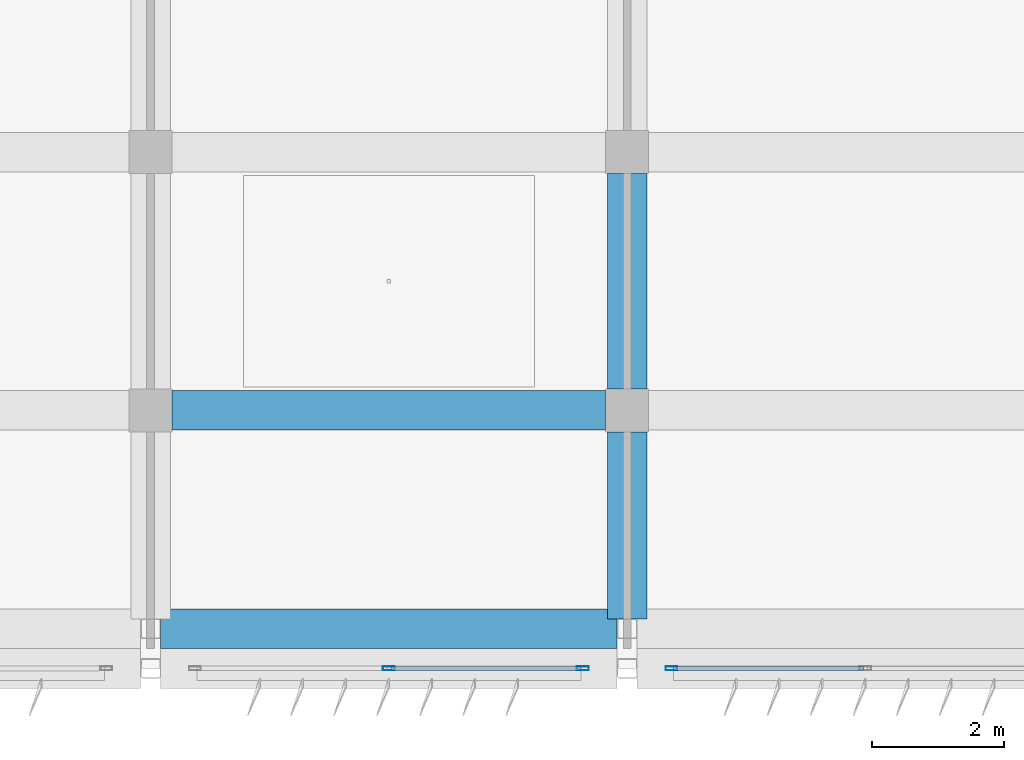
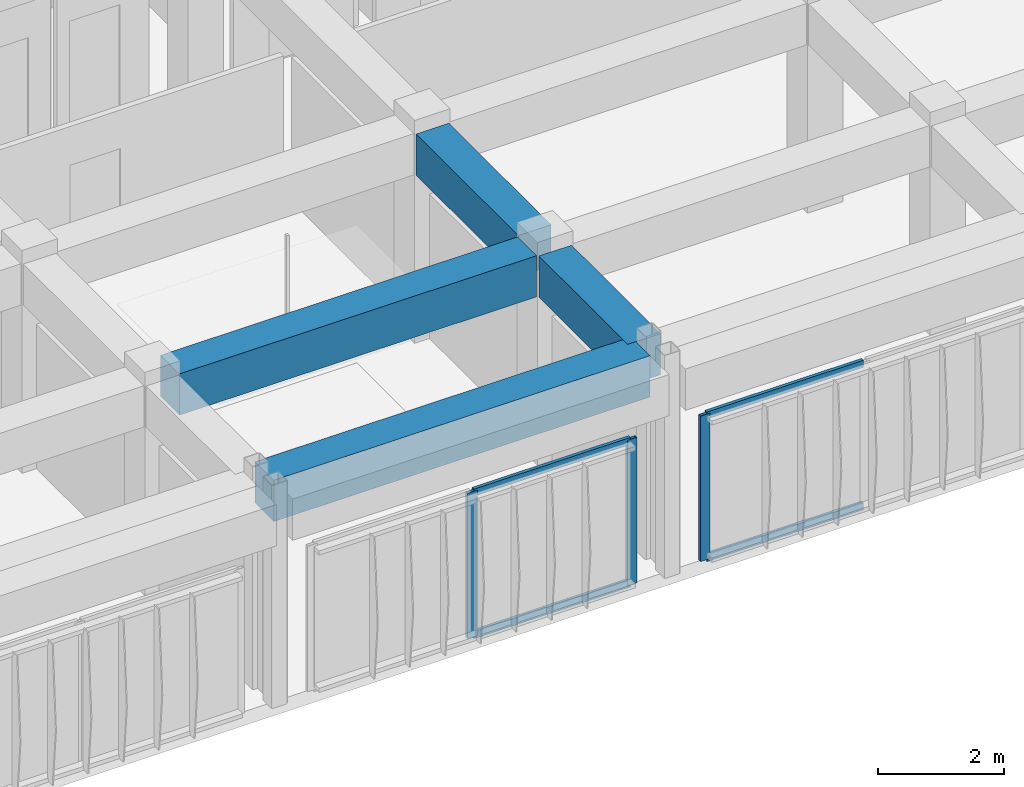
# One storey, part 17 of 53: 7 members, 4 beams, 2 elements without a shape of their own.
"""IFC4 building model written with IfcOpenShell, lengths in metres."""

from ifc_helpers import new_model, si_unit, direction, frame, origin, origin_2d, place, context, subcontext, project, spatial, rectangle, hollow_rectangle, extrude, material, material_profile, profile_set, type_object, element, aggregate, save


model = new_model("IFC4")

# Units and contexts
model_context = context("Model", 3, precision=1e-05, world=origin(), true_north=direction((0.0, 1.0)))
body_context = subcontext(model_context, "Body", "Model", "MODEL_VIEW")
ifc_project = project(units=[si_unit("LENGTHUNIT", "METRE"), si_unit("AREAUNIT", "SQUARE_METRE"), si_unit("VOLUMEUNIT", "CUBIC_METRE"), si_unit("PLANEANGLEUNIT", "RADIAN"), si_unit("MASSUNIT", "GRAM", prefix="KILO")], contexts=[model_context])

# Site, building, storey
site_placement = place(None, origin())
site = spatial("IfcSite", under=ifc_project, at=site_placement, CompositionType="ELEMENT")
building_placement = place(site_placement, origin())
building = spatial("IfcBuilding", under=site, at=building_placement, Name="Kazehaya Institute of Natural Sciences", CompositionType="ELEMENT")
storey_placement = place(building_placement, frame((0.0, 0.0, 33.300048828125)))
storey = spatial("IfcBuildingStorey", under=building, at=storey_placement, Name="L07", CompositionType="ELEMENT", Elevation=33.300048828125)

# Beams
ifc_material_1 = material(Name="Concrete Fc36", Category="concrete")
ifc_material_profile_1 = material_profile(ifc_material_1, rectangle(XDim=0.60009765625, YDim=0.800048828125, at=origin_2d()), Name="RC-600x800")
ifc_profile_set_1 = profile_set([ifc_material_profile_1], Name="Concrete Fc36")
beam_type = type_object("IfcBeamType", Name="BM-G-600x800", PredefinedType="BEAM", material=ifc_profile_set_1)
beam_1_placement = place(storey_placement, frame((83.550048828125, 6.800048828125, 3.64990234375), z_axis=(1.0, 0.0, 0.0), x_axis=(0.0, 1.0, 0.0)))
element("IfcBeam", 1, at=beam_1_placement, inside=storey, type_object=beam_type, Name="L07 primary X girder BMX-L07-834-68", PredefinedType="BEAM", context=body_context, shape_type="SweptSolid", body=[
    extrude(rectangle(XDim=0.60009765625, YDim=0.800048828125, at=origin_2d()), origin(), (0.0, 0.0, 1.0), 6.89990234375),
])
beam_2_placement = place(storey_placement, frame((83.72509765625, 10.10009765625, 3.64990234375), z_axis=(1.0, 0.0, 0.0), x_axis=(0.0, 1.0, 0.0)))
element("IfcBeam", 2, at=beam_2_placement, inside=storey, type_object=beam_type, Name="L07 primary X girder BMX-L07-834-101", PredefinedType="BEAM", context=body_context, shape_type="SweptSolid", body=[
    extrude(rectangle(XDim=0.60009765625, YDim=0.800048828125, at=origin_2d()), origin(), (0.0, 0.0, 1.0), 6.5498046875),
])
beam_3_placement = place(storey_placement, frame((90.60009765625, 6.949951171875, 3.64990234375), z_axis=(0.0, 1.0, 0.0), x_axis=(-1.0, 0.0, 0.0)))
element("IfcBeam", 3, at=beam_3_placement, inside=storey, type_object=beam_type, Name="L07 primary Y girder BMY-L07-906-68", PredefinedType="BEAM", context=body_context, shape_type="SweptSolid", body=[
    extrude(rectangle(XDim=0.60009765625, YDim=0.800048828125, at=origin_2d()), origin(), (0.0, 0.0, 1.0), 2.824951171875),
])
beam_4_placement = place(storey_placement, frame((90.60009765625, 10.425048828125, 3.64990234375), z_axis=(0.0, 1.0, 0.0), x_axis=(-1.0, 0.0, 0.0)))
element("IfcBeam", 4, at=beam_4_placement, inside=storey, type_object=beam_type, Name="L07 primary Y girder BMY-L07-906-101", PredefinedType="BEAM", context=body_context, shape_type="SweptSolid", body=[
    extrude(rectangle(XDim=0.60009765625, YDim=0.800048828125, at=origin_2d()), origin(), (0.0, 0.0, 1.0), 3.25),
])

# Curtain wall, member
ifc_material_2 = material(Name="Aluminium alloy A6063S-T5", Category="aluminium")
curtain_wall_type = type_object("IfcCurtainWallType", Name="CW-SYS-05", PredefinedType="NOTDEFINED", material=ifc_material_2)
curtain_wall_1_placement = place(storey_placement, origin())
curtain_wall_1 = element("IfcCurtainWall", 5, at=curtain_wall_1_placement, inside=storey, type_object=curtain_wall_type, Name="L07 unitised curtain wall CW-L07-151", PredefinedType="NOTDEFINED")
ifc_material_profile_2 = material_profile(ifc_material_2, hollow_rectangle(XDim=0.06005859375, YDim=0.179931640625, WallThickness=0.00390625, at=origin_2d()), Name="ALU-60x180x4")
ifc_profile_set_2 = profile_set([ifc_material_profile_2], Name="Aluminium alloy A6063S-T5")
member_type_1 = type_object("IfcMemberType", Name="CWM-180", PredefinedType="MULLION", material=ifc_profile_set_2)
member_1_placement = place(storey_placement, frame((91.27001953125, 6.199951171875, 0.0), z_axis=(0.0, 0.0, 1.0), x_axis=(0.0, -1.0, 0.0)))
member_1 = element("IfcMember", 6, at=member_1_placement, type_object=member_type_1, Name="CW05 mullion 3", PredefinedType="MULLION", context=body_context, shape_type="SweptSolid", body=[
    extrude(hollow_rectangle(XDim=0.06005859375, YDim=0.179931640625, WallThickness=0.00390625, at=origin_2d()), origin(), (0.0, 0.0, 1.0), 2.820068359375),
])

# Curtain wall, members
curtain_wall_2_placement = place(storey_placement, origin())
curtain_wall_2 = element("IfcCurtainWall", 7, at=curtain_wall_2_placement, inside=storey, type_object=curtain_wall_type, Name="L07 unitised curtain wall CW-L07-152", PredefinedType="NOTDEFINED")
member_2_placement = place(storey_placement, frame((89.929931640625, 6.199951171875, 0.0), z_axis=(0.0, 0.0, 1.0), x_axis=(0.0, -1.0, 0.0)))
member_2 = element("IfcMember", 8, at=member_2_placement, type_object=member_type_1, Name="CW05 mullion 1", PredefinedType="MULLION", context=body_context, shape_type="SweptSolid", body=[
    extrude(hollow_rectangle(XDim=0.06005859375, YDim=0.179931640625, WallThickness=0.00390625, at=origin_2d()), origin(), (0.0, 0.0, 1.0), 2.820068359375),
])
member_3_placement = place(storey_placement, frame((87.0, 6.199951171875, 0.0), z_axis=(0.0, 0.0, 1.0), x_axis=(0.0, -1.0, 0.0)))
member_3 = element("IfcMember", 9, at=member_3_placement, type_object=member_type_1, Name="CW05 mullion 2", PredefinedType="MULLION", context=body_context, shape_type="SweptSolid", body=[
    extrude(hollow_rectangle(XDim=0.06005859375, YDim=0.179931640625, WallThickness=0.00390625, at=origin_2d()), origin(), (0.0, 0.0, 1.0), 2.820068359375),
])

# Member
ifc_material_profile_3 = material_profile(ifc_material_2, hollow_rectangle(XDim=0.06005859375, YDim=0.139892578125, WallThickness=0.00341796875, at=origin_2d()), Name="ALU-60x140x3.5")
ifc_profile_set_3 = profile_set([ifc_material_profile_3], Name="Aluminium alloy A6063S-T5")
member_type_2 = type_object("IfcMemberType", Name="CWT-140", PredefinedType="USERDEFINED", material=ifc_profile_set_3)
member_4_placement = place(storey_placement, frame((94.169921875, 6.199951171875, 0.030029296875), z_axis=(-1.0, 0.0, 0.0), x_axis=(0.0, -1.0, 0.0)))
member_4 = element("IfcMember", 10, at=member_4_placement, type_object=member_type_2, Name="CW05 transom 2.1", ObjectType="TRANSOM", PredefinedType="USERDEFINED", context=body_context, shape_type="SweptSolid", body=[
    extrude(hollow_rectangle(XDim=0.06005859375, YDim=0.139892578125, WallThickness=0.00341796875, at=origin_2d()), origin(), (0.0, 0.0, 1.0), 2.869873046875),
])

member_5_placement = place(storey_placement, frame((94.169921875, 6.199951171875, 2.7900390625), z_axis=(-1.0, 0.0, 0.0), x_axis=(0.0, -1.0, 0.0)))
member_5 = element("IfcMember", 11, at=member_5_placement, type_object=member_type_2, Name="CW05 transom 2.2", ObjectType="TRANSOM", PredefinedType="USERDEFINED", context=body_context, shape_type="SweptSolid", body=[
    extrude(hollow_rectangle(XDim=0.06005859375, YDim=0.139892578125, WallThickness=0.00341796875, at=origin_2d()), origin(), (0.0, 0.0, 1.0), 2.869873046875),
])

aggregate(curtain_wall_1, [member_1, member_4, member_5])

member_6_placement = place(storey_placement, frame((89.89990234375, 6.199951171875, 0.030029296875), z_axis=(-1.0, 0.0, 0.0), x_axis=(0.0, -1.0, 0.0)))
member_6 = element("IfcMember", 12, at=member_6_placement, type_object=member_type_2, Name="CW05 transom 1.1", ObjectType="TRANSOM", PredefinedType="USERDEFINED", context=body_context, shape_type="SweptSolid", body=[
    extrude(hollow_rectangle(XDim=0.06005859375, YDim=0.139892578125, WallThickness=0.00341796875, at=origin_2d()), origin(), (0.0, 0.0, 1.0), 2.869873046875),
])

member_7_placement = place(storey_placement, frame((89.89990234375, 6.199951171875, 2.7900390625), z_axis=(-1.0, 0.0, 0.0), x_axis=(0.0, -1.0, 0.0)))
member_7 = element("IfcMember", 13, at=member_7_placement, type_object=member_type_2, Name="CW05 transom 1.2", ObjectType="TRANSOM", PredefinedType="USERDEFINED", context=body_context, shape_type="SweptSolid", body=[
    extrude(hollow_rectangle(XDim=0.06005859375, YDim=0.139892578125, WallThickness=0.00341796875, at=origin_2d()), origin(), (0.0, 0.0, 1.0), 2.869873046875),
])

aggregate(curtain_wall_2, [member_2, member_3, member_6, member_7])

save(model, "model.ifc")
